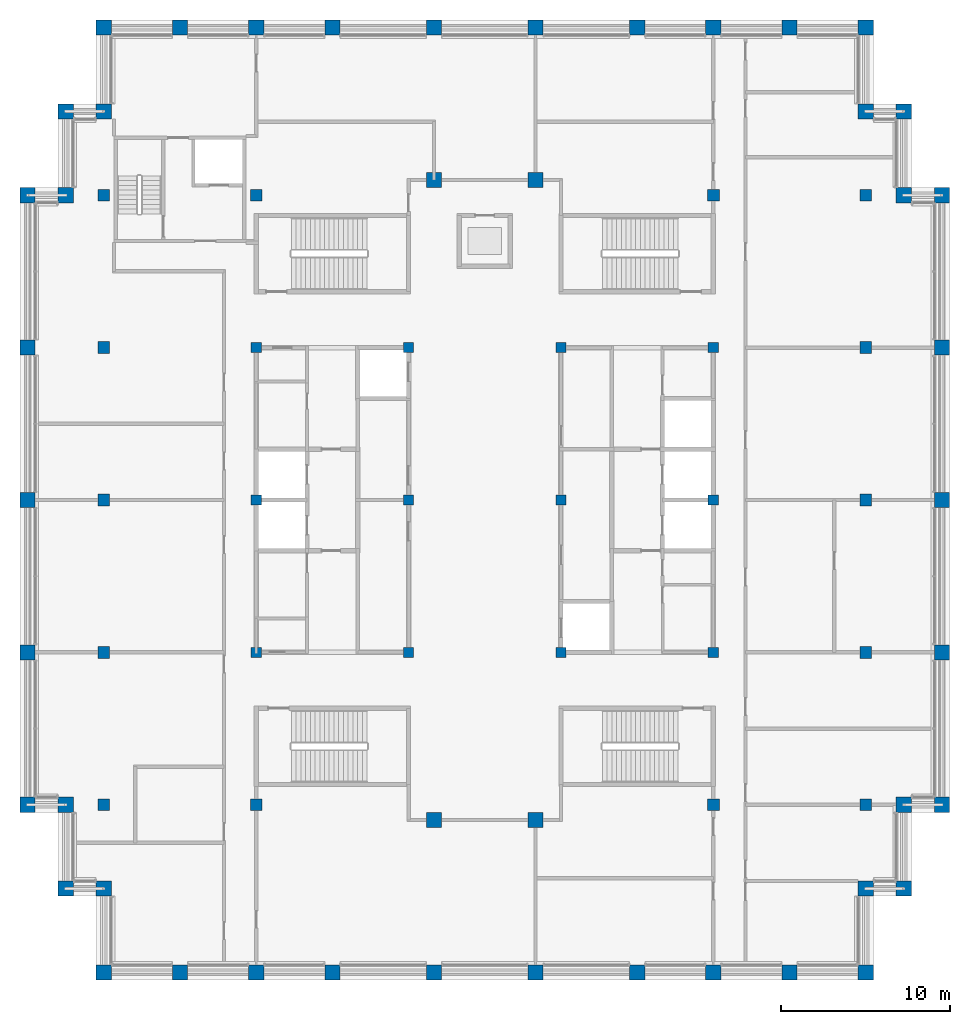
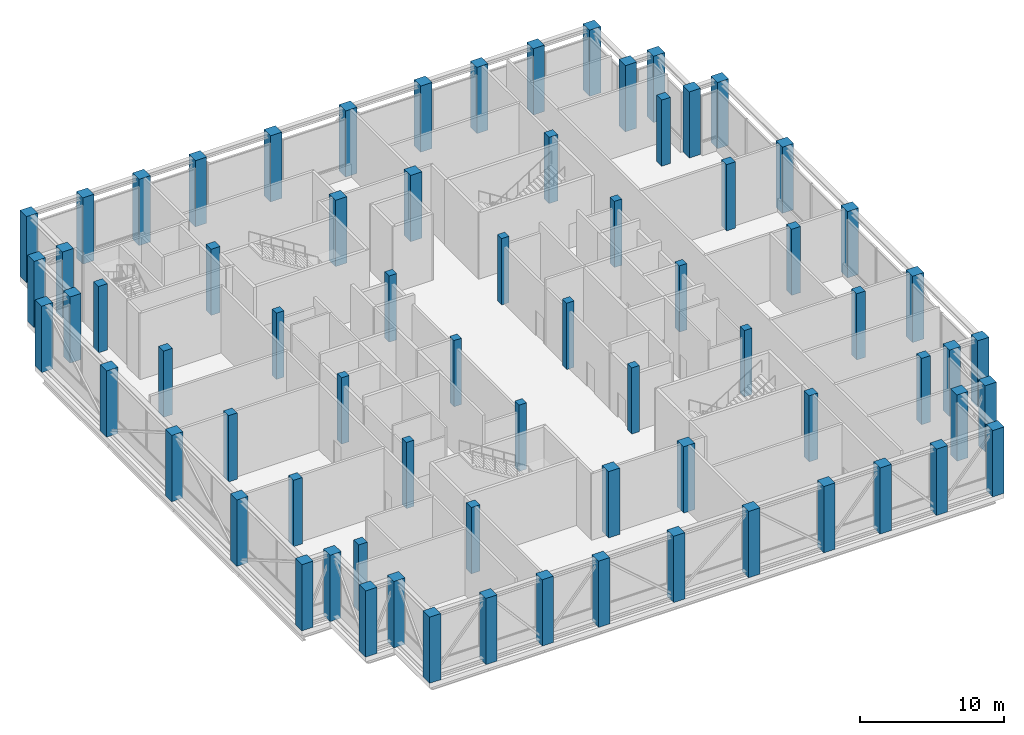
# One storey, part 1 of 17: 72 columns.
"""IFC4 building model written with IfcOpenShell, lengths in metres."""

from ifc_helpers import new_model, si_unit, direction, frame, origin, origin_2d, place, context, subcontext, project, spatial, rectangle, extrude, material, material_profile, profile_set, type_object, element, save


model = new_model("IFC4")

# Units and contexts
model_context = context("Model", 3, precision=1e-05, world=origin(), true_north=direction((0.0, 1.0)))
body_context = subcontext(model_context, "Body", "Model", "MODEL_VIEW")
ifc_project = project(units=[si_unit("LENGTHUNIT", "METRE"), si_unit("AREAUNIT", "SQUARE_METRE"), si_unit("VOLUMEUNIT", "CUBIC_METRE"), si_unit("PLANEANGLEUNIT", "RADIAN"), si_unit("MASSUNIT", "GRAM", prefix="KILO")], contexts=[model_context])

# Site, building, storey
site_placement = place(None, origin())
site = spatial("IfcSite", under=ifc_project, at=site_placement, CompositionType="ELEMENT")
building_placement = place(site_placement, origin())
building = spatial("IfcBuilding", under=site, at=building_placement, Name="Corbelhall Arena Tower", CompositionType="ELEMENT")
storey_placement = place(building_placement, frame((0.0, 0.0, 350.0)))
storey = spatial("IfcBuildingStorey", under=building, at=storey_placement, Name="L77", CompositionType="ELEMENT", Elevation=350.0)

# Columns
ifc_material = material(Name="Concrete C80/95", Category="concrete")
ifc_material_profile_1 = material_profile(ifc_material, rectangle(XDim=0.60009765625, YDim=0.60009765625, at=origin_2d()))
ifc_profile_set_1 = profile_set([ifc_material_profile_1], Name="Concrete C80/95")
column_type_1 = type_object("IfcColumnType", Name="ST-COL-RC 600x600", PredefinedType="COLUMN", material=ifc_profile_set_1)
for number, where, z_axis, x_axis, name in (
    (1, (4.5, 0.0, 0.0), (0.0, 0.0, 1.0), (1.0, 0.0, 0.0), "Column KE+0450+0000"),
    (2, (4.5, 9.0, 0.0), (0.0, 0.0, 1.0), (1.0, 0.0, 0.0), "Column KE+0450+0900"),
    (3, (4.5, -9.0, 0.0), (0.0, 0.0, 1.0), (1.0, 0.0, 0.0), "Column KE+0450-0900"),
    (4, (13.5, 0.0, 0.0), (0.0, 0.0, 1.0), (1.0, 0.0, 0.0), "Column KE+1350+0000"),
    (5, (13.5, 9.0, 0.0), (0.0, 0.0, 1.0), (1.0, 0.0, 0.0), "Column KE+1350+0900"),
    (6, (13.5, -9.0, 0.0), (0.0, 0.0, 1.0), (1.0, 0.0, 0.0), "Column KE+1350-0900"),
    (7, (-4.5, 0.0, 0.0), (0.0, 0.0, 1.0), (1.0, 0.0, 0.0), "Column KW-0450+0000"),
    (8, (-4.5, 9.0, 0.0), (0.0, 0.0, 1.0), (1.0, 0.0, 0.0), "Column KW-0450+0900"),
    (9, (-4.5, -9.0, 0.0), (0.0, 0.0, 1.0), (1.0, 0.0, 0.0), "Column KW-0450-0900"),
    (10, (-13.5, 0.0, 0.0), (0.0, 0.0, 1.0), (1.0, 0.0, 0.0), "Column KW-1350+0000"),
    (11, (-13.5, 9.0, 0.0), (0.0, 0.0, 1.0), (1.0, 0.0, 0.0), "Column KW-1350+0900"),
    (12, (-13.5, -9.0, 0.0), (0.0, 0.0, 1.0), (1.0, 0.0, 0.0), "Column KW-1350-0900"),
):
    element("IfcColumn", number, at=place(storey_placement, frame(where, z_axis=z_axis, x_axis=x_axis)), inside=storey, type_object=column_type_1, Name=name, PredefinedType="COLUMN", context=body_context, shape_type="SweptSolid", body=[
        extrude(rectangle(XDim=0.60009765625, YDim=0.60009765625, at=origin_2d()), origin(), (0.0, 0.0, 1.0), 5.599609375),
    ])
ifc_material_profile_2 = material_profile(ifc_material, rectangle(XDim=0.699951171875, YDim=0.699951171875, at=origin_2d()))
ifc_profile_set_2 = profile_set([ifc_material_profile_2], Name="Concrete C80/95")
column_type_2 = type_object("IfcColumnType", Name="ST-COL-RC 700x700", PredefinedType="COLUMN", material=ifc_profile_set_2)
for number, where, z_axis, x_axis, name in (
    (13, (13.5, 18.0, 0.0), (0.0, 0.0, 1.0), (1.0, 0.0, 0.0), "Column IE13+1800"),
    (14, (13.5, -18.0, 0.0), (0.0, 0.0, 1.0), (1.0, 0.0, 0.0), "Column IE13-1800"),
    (15, (22.5, 0.0, 0.0), (0.0, 0.0, 1.0), (1.0, 0.0, 0.0), "Column IE22+0000"),
    (16, (22.5, 9.0, 0.0), (0.0, 0.0, 1.0), (1.0, 0.0, 0.0), "Column IE22+0900"),
    (17, (22.5, 18.0, 0.0), (0.0, 0.0, 1.0), (1.0, 0.0, 0.0), "Column IE22+1800"),
    (18, (22.5, -9.0, 0.0), (0.0, 0.0, 1.0), (1.0, 0.0, 0.0), "Column IE22-0900"),
    (19, (22.5, -18.0, 0.0), (0.0, 0.0, 1.0), (1.0, 0.0, 0.0), "Column IE22-1800"),
    (20, (-13.5, 18.0, 0.0), (0.0, 0.0, 1.0), (1.0, 0.0, 0.0), "Column IW13+1800"),
    (21, (-13.5, -18.0, 0.0), (0.0, 0.0, 1.0), (1.0, 0.0, 0.0), "Column IW13-1800"),
    (22, (-22.5, 0.0, 0.0), (0.0, 0.0, 1.0), (1.0, 0.0, 0.0), "Column IW22+0000"),
    (23, (-22.5, 9.0, 0.0), (0.0, 0.0, 1.0), (1.0, 0.0, 0.0), "Column IW22+0900"),
    (24, (-22.5, 18.0, 0.0), (0.0, 0.0, 1.0), (1.0, 0.0, 0.0), "Column IW22+1800"),
    (25, (-22.5, -9.0, 0.0), (0.0, 0.0, 1.0), (1.0, 0.0, 0.0), "Column IW22-0900"),
    (26, (-22.5, -18.0, 0.0), (0.0, 0.0, 1.0), (1.0, 0.0, 0.0), "Column IW22-1800"),
):
    element("IfcColumn", number, at=place(storey_placement, frame(where, z_axis=z_axis, x_axis=x_axis)), inside=storey, type_object=column_type_2, Name=name, PredefinedType="COLUMN", context=body_context, shape_type="SweptSolid", body=[
        extrude(rectangle(XDim=0.699951171875, YDim=0.699951171875, at=origin_2d()), origin(), (0.0, 0.0, 1.0), 5.599609375),
    ])
ifc_material_profile_3 = material_profile(ifc_material, rectangle(XDim=0.89990234375, YDim=0.89990234375, at=origin_2d()))
ifc_profile_set_3 = profile_set([ifc_material_profile_3], Name="Concrete C80/95")
column_type_3 = type_object("IfcColumnType", Name="ST-COL-RC 900x900", PredefinedType="COLUMN", material=ifc_profile_set_3)
for number, where, z_axis, x_axis, name in (
    (27, (27.0, 0.0, 0.0), (0.0, 0.0, 1.0), (0.0, 1.0, 0.0), "Column PE+0000"),
    (28, (27.0, 9.0, 0.0), (0.0, 0.0, 1.0), (0.0, 1.0, 0.0), "Column PE+0900"),
    (29, (27.0, 18.0, 0.0), (0.0, 0.0, 1.0), (0.0, 1.0, 0.0), "Column PE+1800"),
    (30, (27.0, -9.0, 0.0), (0.0, 0.0, 1.0), (0.0, 1.0, 0.0), "Column PE-0900"),
    (31, (27.0, -18.0, 0.0), (0.0, 0.0, 1.0), (0.0, 1.0, 0.0), "Column PE-1800"),
    (32, (3.0, 27.89990234375, 0.0), (0.0, 0.0, 1.0), (1.0, 0.0, 0.0), "Column PNE0300"),
    (33, (9.0, 27.89990234375, 0.0), (0.0, 0.0, 1.0), (1.0, 0.0, 0.0), "Column PNE0900"),
    (34, (13.5, 27.89990234375, 0.0), (0.0, 0.0, 1.0), (1.0, 0.0, 0.0), "Column PNE1350"),
    (35, (18.0, 27.89990234375, 0.0), (0.0, 0.0, 1.0), (1.0, 0.0, 0.0), "Column PNE1800"),
    (36, (22.5, 27.89990234375, 0.0), (0.0, 0.0, 1.0), (1.0, 0.0, 0.0), "Column PNE2250"),
    (37, (-3.0, 27.89990234375, 0.0), (0.0, 0.0, 1.0), (1.0, 0.0, 0.0), "Column PNW0300"),
    (38, (-9.0, 27.89990234375, 0.0), (0.0, 0.0, 1.0), (1.0, 0.0, 0.0), "Column PNW0900"),
    (39, (-13.5, 27.89990234375, 0.0), (0.0, 0.0, 1.0), (1.0, 0.0, 0.0), "Column PNW1350"),
    (40, (-18.0, 27.89990234375, 0.0), (0.0, 0.0, 1.0), (1.0, 0.0, 0.0), "Column PNW1800"),
    (41, (-22.5, 27.89990234375, 0.0), (0.0, 0.0, 1.0), (1.0, 0.0, 0.0), "Column PNW2250"),
    (42, (3.0, -27.89990234375, 0.0), (0.0, 0.0, 1.0), (1.0, 0.0, 0.0), "Column PSE0300"),
    (43, (9.0, -27.89990234375, 0.0), (0.0, 0.0, 1.0), (1.0, 0.0, 0.0), "Column PSE0900"),
    (44, (13.5, -27.89990234375, 0.0), (0.0, 0.0, 1.0), (1.0, 0.0, 0.0), "Column PSE1350"),
    (45, (18.0, -27.89990234375, 0.0), (0.0, 0.0, 1.0), (1.0, 0.0, 0.0), "Column PSE1800"),
    (46, (22.5, -27.89990234375, 0.0), (0.0, 0.0, 1.0), (1.0, 0.0, 0.0), "Column PSE2250"),
    (47, (-3.0, -27.89990234375, 0.0), (0.0, 0.0, 1.0), (1.0, 0.0, 0.0), "Column PSW0300"),
    (48, (-9.0, -27.89990234375, 0.0), (0.0, 0.0, 1.0), (1.0, 0.0, 0.0), "Column PSW0900"),
    (49, (-13.5, -27.89990234375, 0.0), (0.0, 0.0, 1.0), (1.0, 0.0, 0.0), "Column PSW1350"),
    (50, (-18.0, -27.89990234375, 0.0), (0.0, 0.0, 1.0), (1.0, 0.0, 0.0), "Column PSW1800"),
    (51, (-22.5, -27.89990234375, 0.0), (0.0, 0.0, 1.0), (1.0, 0.0, 0.0), "Column PSW2250"),
    (52, (-27.0, 0.0, 0.0), (0.0, 0.0, 1.0), (0.0, 1.0, 0.0), "Column PW+0000"),
    (53, (-27.0, 9.0, 0.0), (0.0, 0.0, 1.0), (0.0, 1.0, 0.0), "Column PW+0900"),
    (54, (-27.0, 18.0, 0.0), (0.0, 0.0, 1.0), (0.0, 1.0, 0.0), "Column PW+1800"),
    (55, (-27.0, -9.0, 0.0), (0.0, 0.0, 1.0), (0.0, 1.0, 0.0), "Column PW-0900"),
    (56, (-27.0, -18.0, 0.0), (0.0, 0.0, 1.0), (0.0, 1.0, 0.0), "Column PW-1800"),
    (57, (3.0, 18.89990234375, 0.0), (0.0, 0.0, 1.0), (1.0, 0.0, 0.0), "Column SLNE2"),
    (58, (-3.0, 18.89990234375, 0.0), (0.0, 0.0, 1.0), (1.0, 0.0, 0.0), "Column SLNW2"),
    (59, (3.0, -18.89990234375, 0.0), (0.0, 0.0, 1.0), (1.0, 0.0, 0.0), "Column SLSE2"),
    (60, (-3.0, -18.89990234375, 0.0), (0.0, 0.0, 1.0), (1.0, 0.0, 0.0), "Column SLSW2"),
    (61, (22.5, 22.949951171875, 0.0), (0.0, 0.0, 1.0), (1.0, 0.0, 0.0), "Column XNE1"),
    (62, (24.75, 22.949951171875, 0.0), (0.0, 0.0, 1.0), (1.0, 0.0, 0.0), "Column XNE2"),
    (63, (24.75, 18.0, 0.0), (0.0, 0.0, 1.0), (1.0, 0.0, 0.0), "Column XNE3"),
    (64, (-22.5, 22.949951171875, 0.0), (0.0, 0.0, 1.0), (1.0, 0.0, 0.0), "Column XNW1"),
    (65, (-24.75, 22.949951171875, 0.0), (0.0, 0.0, 1.0), (1.0, 0.0, 0.0), "Column XNW2"),
    (66, (-24.75, 18.0, 0.0), (0.0, 0.0, 1.0), (1.0, 0.0, 0.0), "Column XNW3"),
    (67, (22.5, -22.949951171875, 0.0), (0.0, 0.0, 1.0), (1.0, 0.0, 0.0), "Column XSE1"),
    (68, (24.75, -22.949951171875, 0.0), (0.0, 0.0, 1.0), (1.0, 0.0, 0.0), "Column XSE2"),
    (69, (24.75, -18.0, 0.0), (0.0, 0.0, 1.0), (1.0, 0.0, 0.0), "Column XSE3"),
    (70, (-22.5, -22.949951171875, 0.0), (0.0, 0.0, 1.0), (1.0, 0.0, 0.0), "Column XSW1"),
    (71, (-24.75, -22.949951171875, 0.0), (0.0, 0.0, 1.0), (1.0, 0.0, 0.0), "Column XSW2"),
    (72, (-24.75, -18.0, 0.0), (0.0, 0.0, 1.0), (1.0, 0.0, 0.0), "Column XSW3"),
):
    element("IfcColumn", number, at=place(storey_placement, frame(where, z_axis=z_axis, x_axis=x_axis)), inside=storey, type_object=column_type_3, Name=name, PredefinedType="COLUMN", context=body_context, shape_type="SweptSolid", body=[
        extrude(rectangle(XDim=0.89990234375, YDim=0.89990234375, at=origin_2d()), origin(), (0.0, 0.0, 1.0), 5.599609375),
    ])

save(model, "model.ifc")
